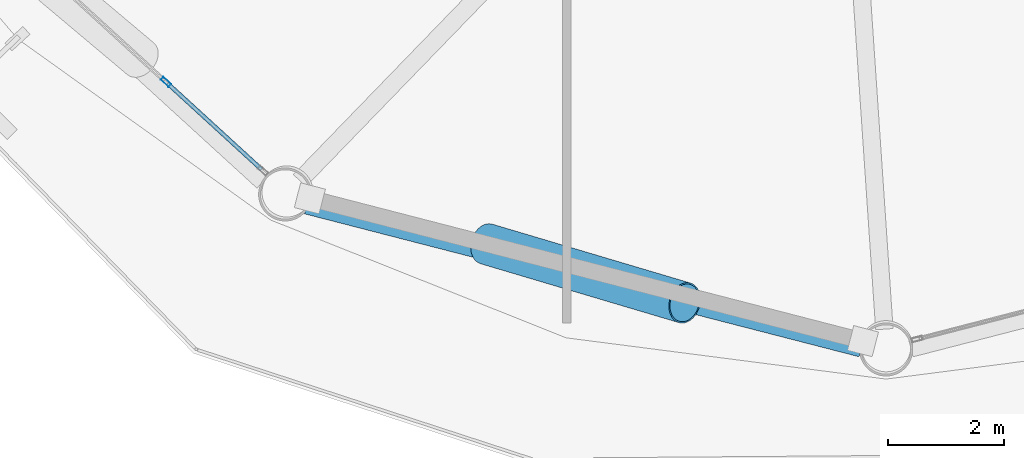
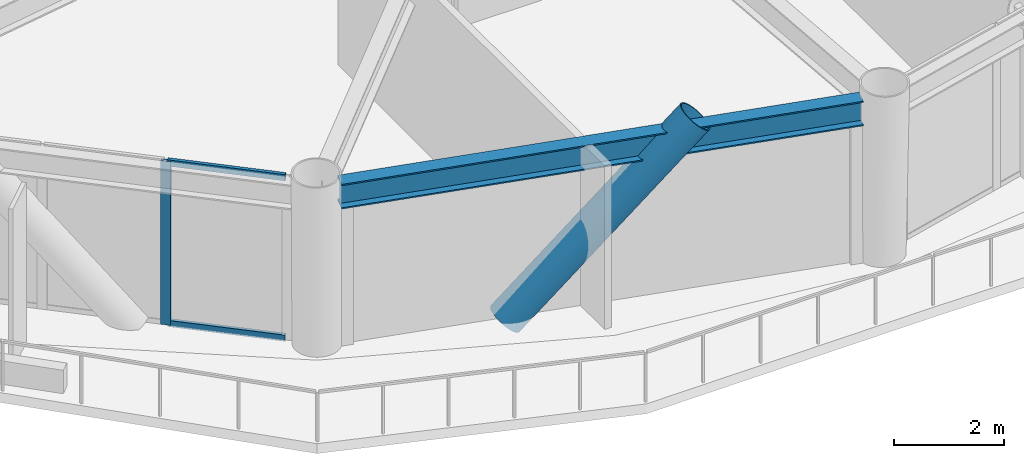
# One storey, part 3 of 24: 4 members, 1 beam, 1 element without a shape of its own.
"""IFC4 building model written with IfcOpenShell, lengths in metres."""

from ifc_helpers import new_model, si_unit, direction, frame, origin, origin_2d, place, context, subcontext, project, spatial, hollow_rectangle, hollow_circle, i_section, extrude, material, layer, layer_set, material_profile, profile_set, type_object, element, aggregate, save


model = new_model("IFC4")

# Units and contexts
model_context = context("Model", 3, precision=1e-05, world=origin(), true_north=direction((0.0, 1.0)))
body_context = subcontext(model_context, "Body", "Model", "MODEL_VIEW")
ifc_project = project(units=[si_unit("LENGTHUNIT", "METRE"), si_unit("AREAUNIT", "SQUARE_METRE"), si_unit("VOLUMEUNIT", "CUBIC_METRE"), si_unit("PLANEANGLEUNIT", "RADIAN"), si_unit("MASSUNIT", "GRAM", prefix="KILO")], contexts=[model_context])

# Site, building, storey
site_placement = place(None, origin())
site = spatial("IfcSite", under=ifc_project, at=site_placement, CompositionType="ELEMENT")
building_placement = place(site_placement, origin())
building = spatial("IfcBuilding", under=site, at=building_placement, Name="Varnakorn Sky Granary", CompositionType="ELEMENT")
storey_placement = place(building_placement, frame((0.0, 0.0, 43.199951171875)))
storey = spatial("IfcBuildingStorey", under=building, at=storey_placement, Name="L10", CompositionType="ELEMENT", Elevation=43.199951171875)

# Beam
ifc_material_1 = material(Name="Steel S355JR", Category="steel")
ifc_material_profile_1 = material_profile(ifc_material_1, i_section(OverallWidth=0.300048828125, OverallDepth=0.550048828125, WebThickness=0.014892578125, FlangeThickness=0.029052734375, at=origin_2d()), Name="HE 550 B")
ifc_profile_set_1 = profile_set([ifc_material_profile_1], Name="Steel S355JR")
beam_type = type_object("IfcBeamType", Name="BM-SPD-Z1", PredefinedType="SPANDREL", material=ifc_profile_set_1)
beam_placement = place(storey_placement, frame((-11.4794921875, -16.577880859375, 3.364990234375), z_axis=(0.968350691082, -0.249593547756, 0.0), x_axis=(0.249593547756, 0.968350691082, 0.0)))
element("IfcBeam", 1, at=beam_placement, inside=storey, type_object=beam_type, Name="Perimeter Spandrel Ring Beam RB09 L10", PredefinedType="SPANDREL", context=body_context, shape_type="SweptSolid", body=[
    extrude(i_section(OverallWidth=0.300048828125, OverallDepth=0.550048828125, WebThickness=0.014892578125, FlangeThickness=0.029052734375, at=origin_2d()), origin(), (0.0, 0.0, 1.0), 9.86376953125),
])

# Curtain wall, members
ifc_material_2 = material(Name="Anodised Bronze Aluminium Alloy 6063-T6", Category="aluminium")
ifc_layer = layer(ifc_material_2, 0.18994140625, Name="Anodised Bronze Aluminium Alloy 6063-T6")
ifc_layer_set = layer_set([ifc_layer], Name="Anodised Bronze Aluminium Alloy 6063-T6")
curtain_wall_type = type_object("IfcCurtainWallType", Name="CW-FRM-1", PredefinedType="USERDEFINED", material=ifc_layer_set)
curtain_wall_placement = place(storey_placement, origin())
curtain_wall = element("IfcCurtainWall", 2, at=curtain_wall_placement, inside=storey, type_object=curtain_wall_type, Name="Unitised Curtain Wall CW3 CW-L10-B08", ObjectType="CURTAIN WALL", PredefinedType="USERDEFINED")
ifc_material_profile_2 = material_profile(ifc_material_2, hollow_rectangle(XDim=0.070068359375, YDim=0.18505859375, WallThickness=0.00390625, at=origin_2d()), Name="ALU MULL 70x185")
ifc_profile_set_2 = profile_set([ifc_material_profile_2], Name="Anodised Bronze Aluminium Alloy 6063-T6")
member_type_1 = type_object("IfcMemberType", Name="CW-FRM-1-MULL", PredefinedType="MULLION", material=ifc_profile_set_2)
member_1_placement = place(storey_placement, frame((-13.903564453125, -14.45166015625, 0.0), z_axis=(0.0, 0.0, 1.0), x_axis=(-0.674903389306, -0.737906101821, 0.0)))
member_1 = element("IfcMember", 3, at=member_1_placement, type_object=member_type_1, Name="CW3 mullion 2", PredefinedType="MULLION", context=body_context, shape_type="SweptSolid", body=[
    extrude(hollow_rectangle(XDim=0.070068359375, YDim=0.18505859375, WallThickness=0.00390625, at=origin_2d()), origin(), (0.0, 0.0, 1.0), 3.64013671875),
])
ifc_material_profile_3 = material_profile(ifc_material_2, hollow_rectangle(XDim=0.070068359375, YDim=0.139892578125, WallThickness=0.00341796875, at=origin_2d()), Name="ALU TRAN 70x140")
ifc_profile_set_3 = profile_set([ifc_material_profile_3], Name="Anodised Bronze Aluminium Alloy 6063-T6")
member_type_2 = type_object("IfcMemberType", Name="CW-FRM-1-TRAN", PredefinedType="USERDEFINED", material=ifc_profile_set_3)
member_2_placement = place(storey_placement, frame((-12.256591796875, -15.957763671875, 0.03515625), z_axis=(-0.737910208104, 0.674898899671, 0.0), x_axis=(-0.674898899671, -0.737910208104, 0.0)))
member_2 = element("IfcMember", 4, at=member_2_placement, type_object=member_type_2, Name="CW3 transom 1.1", ObjectType="TRANSOM", PredefinedType="USERDEFINED", context=body_context, shape_type="SweptSolid", body=[
    extrude(hollow_rectangle(XDim=0.070068359375, YDim=0.139892578125, WallThickness=0.00341796875, at=origin_2d()), origin(), (0.0, 0.0, 1.0), 2.19677734375),
])
member_3_placement = place(storey_placement, frame((-12.256591796875, -15.957763671875, 3.60498046875), z_axis=(-0.737910208104, 0.674898899671, 0.0), x_axis=(-0.674898899671, -0.737910208104, 0.0)))
member_3 = element("IfcMember", 5, at=member_3_placement, type_object=member_type_2, Name="CW3 transom 1.2", ObjectType="TRANSOM", PredefinedType="USERDEFINED", context=body_context, shape_type="SweptSolid", body=[
    extrude(hollow_rectangle(XDim=0.070068359375, YDim=0.139892578125, WallThickness=0.00341796875, at=origin_2d()), origin(), (0.0, 0.0, 1.0), 2.19677734375),
])
aggregate(curtain_wall, [member_1, member_2, member_3])

# Member
ifc_material_3 = material(Name="Steel S460M", Category="steel")
ifc_material_profile_4 = material_profile(ifc_material_3, hollow_circle(Radius=0.35546875, WallThickness=0.02490234375, at=origin_2d()), Name="CHS 711x25")
ifc_profile_set_4 = profile_set([ifc_material_profile_4], Name="Steel S460M")
member_type_3 = type_object("IfcMemberType", Name="MB-DIAG-T0", PredefinedType="BRACE", material=ifc_profile_set_4)
member_4_placement = place(storey_placement, frame((-8.38232421875, -17.2421875, -0.1298828125), z_axis=(0.644523953078, -0.191420847867, 0.740234377012), x_axis=(0.284704627072, 0.958615290575, 0.0)))
element("IfcMember", 6, at=member_4_placement, inside=storey, type_object=member_type_3, Name="Perimeter CHS Diagrid Brace DG09 L10", PredefinedType="BRACE", context=body_context, shape_type="SweptSolid", body=[
    extrude(hollow_circle(Radius=0.35546875, WallThickness=0.02490234375, at=origin_2d()), origin(), (0.0, 0.0, 1.0), 5.29541015625),
])

save(model, "model.ifc")
